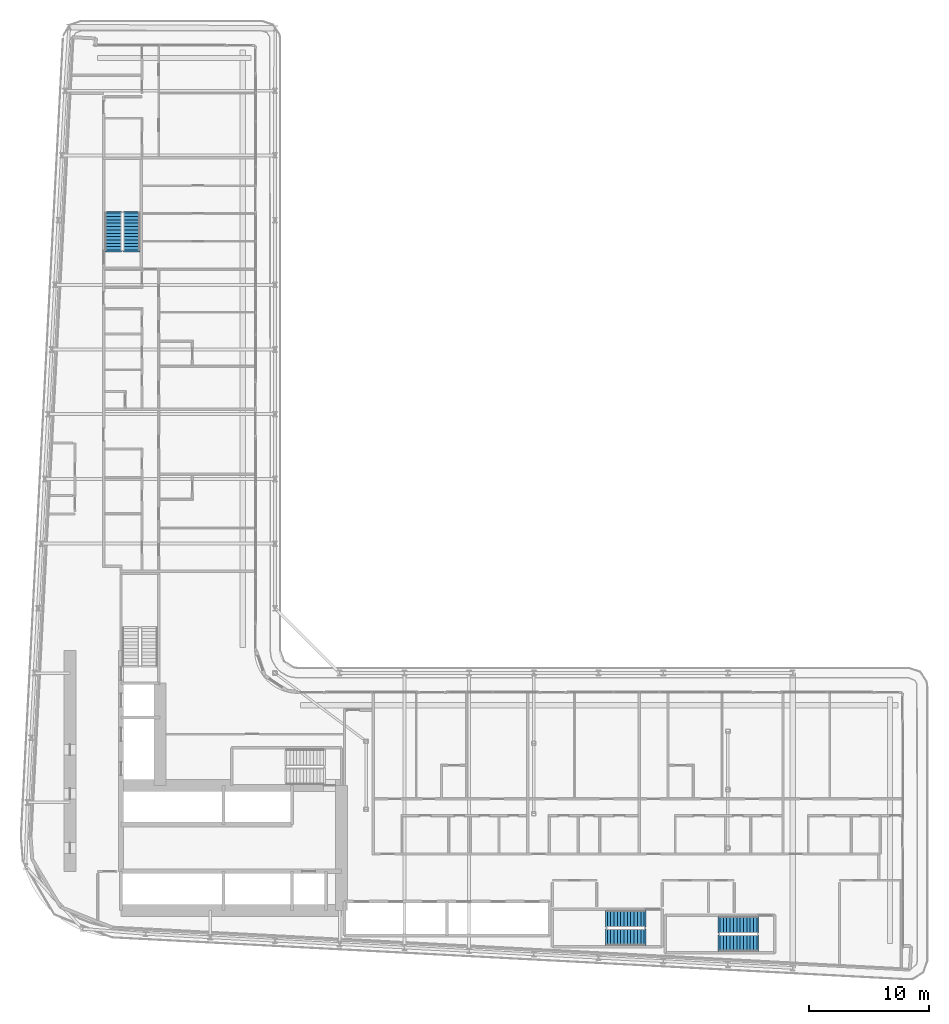
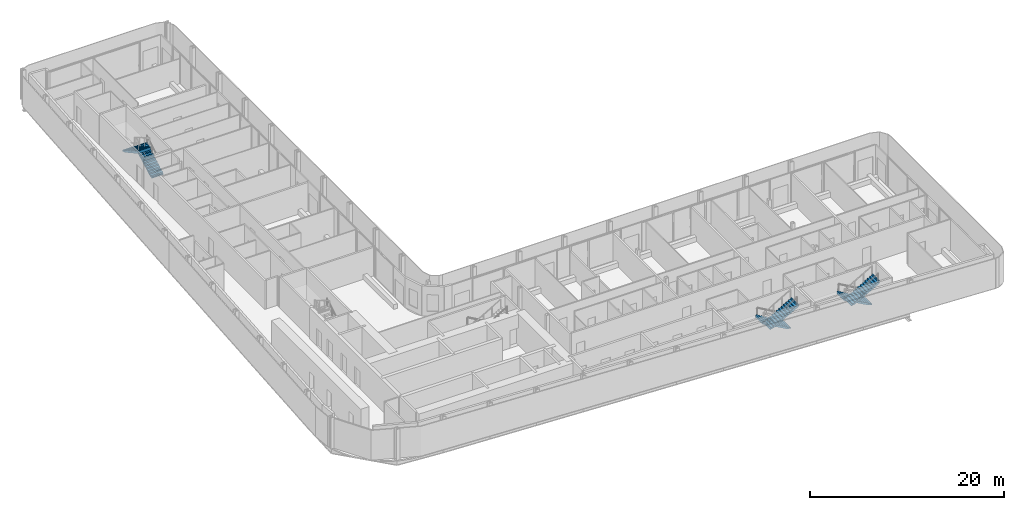
# One storey, part 20 of 27: 6 stair flights, 3 elements without a shape of their own.
"""IFC4 building model written with IfcOpenShell, lengths in metres."""

from ifc_helpers import new_model, si_unit, direction, frame, origin, place, context, subcontext, project, spatial, polyline, outline, extrude, material, layer, layer_set, type_object, element, aggregate, save


model = new_model("IFC4")

# Units and contexts
model_context = context("Model", 3, precision=1e-05, world=origin(), true_north=direction((0.0, 1.0)))
body_context = subcontext(model_context, "Body", "Model", "MODEL_VIEW")
ifc_project = project(units=[si_unit("LENGTHUNIT", "METRE"), si_unit("AREAUNIT", "SQUARE_METRE"), si_unit("VOLUMEUNIT", "CUBIC_METRE"), si_unit("PLANEANGLEUNIT", "RADIAN"), si_unit("MASSUNIT", "GRAM", prefix="KILO")], contexts=[model_context])

# Site, building, storey
site_placement = place(None, origin())
site = spatial("IfcSite", under=ifc_project, at=site_placement, CompositionType="ELEMENT")
building_placement = place(site_placement, origin())
building = spatial("IfcBuilding", under=site, at=building_placement, Name="Kheshtan School and Residences Tower", CompositionType="ELEMENT")
storey_placement = place(building_placement, frame((0.0, 0.0, 57.800048828125)))
storey = spatial("IfcBuildingStorey", under=building, at=storey_placement, Name="L13", CompositionType="ELEMENT", Elevation=57.800048828125)

# Stair, stair flights
ifc_material = material(Name="Concrete C40/50", Category="concrete")
stair_type = type_object("IfcStairType", Name="Exit stair, half-turn", PredefinedType="HALF_TURN_STAIR", material=ifc_material)
stair_1_placement = place(storey_placement, origin())
stair_1 = element("IfcStair", 1, at=stair_1_placement, inside=storey, type_object=stair_type, Name="L13 Protected Exit Stair ST3", PredefinedType="HALF_TURN_STAIR")
ifc_layer = layer(ifc_material, 0.14990234375)
ifc_layer_set = layer_set([ifc_layer], Name="Stair flight 1400 Concrete C40/50")
stair_flight_type = type_object("IfcStairFlightType", Name="Stair flight 1400 Concrete C40/50", PredefinedType="STRAIGHT", material=ifc_layer_set)
stair_flight_1_placement = place(storey_placement, frame((35.64990234375, 80.89990234375, 0.0), z_axis=(0.0, 0.0, 1.0), x_axis=(0.0, 1.0, 0.0)))
stair_flight_1 = element("IfcStairFlight", 2, at=stair_flight_1_placement, type_object=stair_flight_type, Name="ST3 flight 1", NumberOfRisers=12, NumberOfTreads=11, PredefinedType="STRAIGHT", RiserHeight=0.1625, TreadLength=0.28, context=body_context, shape_type="SweptSolid", body=[
    extrude(outline(polyline([(-0.14990234375, -0.10009765625), (-0.14990234375, 0.0), (0.0, 0.0), (0.0, 0.16259765625), (0.280029296875, 0.16259765625), (0.280029296875, 0.324951171875), (0.56005859375, 0.324951171875), (0.56005859375, 0.487548828125), (0.840087890625, 0.487548828125), (0.840087890625, 0.64990234375), (1.1201171875, 0.64990234375), (1.1201171875, 0.8125), (1.39990234375, 0.8125), (1.39990234375, 0.97509765625), (1.679931640625, 0.97509765625), (1.679931640625, 1.137451171875), (1.9599609375, 1.137451171875), (1.9599609375, 1.300048828125), (2.239990234375, 1.300048828125), (2.239990234375, 1.46240234375), (2.52001953125, 1.46240234375), (2.52001953125, 1.625), (2.800048828125, 1.625), (2.800048828125, 1.78759765625), (3.080078125, 1.78759765625), (3.080078125, 1.949951171875), (3.080078125, 1.969970703125), (3.22998046875, 1.969970703125), (3.22998046875, 1.6142578125), (0.298583984375, 0.0), (-0.14990234375, -0.10009765625)])), frame((0.0, 0.699951171875, 0.0), z_axis=(0.0, -1.0, 0.0), x_axis=(1.0, 0.0, 0.0)), (0.0, 0.0, 1.0), 1.39990234375),
])
stair_flight_2_placement = place(storey_placement, frame((34.10009765625, 83.97998046875, 1.949951171875), z_axis=(0.0, 0.0, 1.0), x_axis=(0.0, -1.0, 0.0)))
stair_flight_2 = element("IfcStairFlight", 3, at=stair_flight_2_placement, type_object=stair_flight_type, Name="ST3 flight 2", NumberOfRisers=12, NumberOfTreads=11, PredefinedType="STRAIGHT", RiserHeight=0.1625, TreadLength=0.28, context=body_context, shape_type="SweptSolid", body=[
    extrude(outline(polyline([(-0.14990234375, -0.10009765625), (-0.14990234375, 0.0), (0.0, 0.0), (0.0, 0.16259765625), (0.280029296875, 0.16259765625), (0.280029296875, 0.324951171875), (0.56005859375, 0.324951171875), (0.56005859375, 0.487548828125), (0.840087890625, 0.487548828125), (0.840087890625, 0.64990234375), (1.1201171875, 0.64990234375), (1.1201171875, 0.8125), (1.39990234375, 0.8125), (1.39990234375, 0.97509765625), (1.679931640625, 0.97509765625), (1.679931640625, 1.137451171875), (1.9599609375, 1.137451171875), (1.9599609375, 1.300048828125), (2.239990234375, 1.300048828125), (2.239990234375, 1.46240234375), (2.52001953125, 1.46240234375), (2.52001953125, 1.625), (2.800048828125, 1.625), (2.800048828125, 1.78759765625), (3.080078125, 1.78759765625), (3.080078125, 1.949951171875), (3.080078125, 1.969970703125), (3.22998046875, 1.969970703125), (3.22998046875, 1.6142578125), (0.298583984375, 0.0), (-0.14990234375, -0.10009765625)])), frame((0.0, 0.699951171875, 0.0), z_axis=(0.0, -1.0, 0.0), x_axis=(1.0, 0.0, 0.0)), (0.0, 0.0, 1.0), 1.39990234375),
])
aggregate(stair_1, [stair_flight_1, stair_flight_2])

stair_2_placement = place(storey_placement, origin())
stair_2 = element("IfcStair", 4, at=stair_2_placement, inside=storey, type_object=stair_type, Name="L13 Protected Exit Stair ST4", PredefinedType="HALF_TURN_STAIR")
stair_flight_3_placement = place(storey_placement, frame((87.820068359375, 24.60009765625, 0.0), z_axis=(0.0, 0.0, 1.0), x_axis=(-1.0, 0.0, 0.0)))
stair_flight_3 = element("IfcStairFlight", 5, at=stair_flight_3_placement, type_object=stair_flight_type, Name="ST4 flight 1", NumberOfRisers=12, NumberOfTreads=11, PredefinedType="STRAIGHT", RiserHeight=0.1625, TreadLength=0.28, context=body_context, shape_type="SweptSolid", body=[
    extrude(outline(polyline([(-0.14990234375, -0.10009765625), (-0.14990234375, 0.0), (0.0, 0.0), (0.0, 0.16259765625), (0.280029296875, 0.16259765625), (0.280029296875, 0.324951171875), (0.56005859375, 0.324951171875), (0.56005859375, 0.487548828125), (0.840087890625, 0.487548828125), (0.840087890625, 0.64990234375), (1.1201171875, 0.64990234375), (1.1201171875, 0.8125), (1.39990234375, 0.8125), (1.39990234375, 0.97509765625), (1.679931640625, 0.97509765625), (1.679931640625, 1.137451171875), (1.9599609375, 1.137451171875), (1.9599609375, 1.300048828125), (2.239990234375, 1.300048828125), (2.239990234375, 1.46240234375), (2.52001953125, 1.46240234375), (2.52001953125, 1.625), (2.800048828125, 1.625), (2.800048828125, 1.78759765625), (3.080078125, 1.78759765625), (3.080078125, 1.949951171875), (3.080078125, 1.969970703125), (3.22998046875, 1.969970703125), (3.22998046875, 1.6142578125), (0.298583984375, 0.0), (-0.14990234375, -0.10009765625)])), frame((0.0, 0.699951171875, 0.0), z_axis=(0.0, -1.0, 0.0), x_axis=(1.0, 0.0, 0.0)), (0.0, 0.0, 1.0), 1.39990234375),
])
stair_flight_4_placement = place(storey_placement, frame((84.739990234375, 23.050048828125, 1.949951171875), z_axis=(0.0, 0.0, 1.0), x_axis=(1.0, 0.0, 0.0)))
stair_flight_4 = element("IfcStairFlight", 6, at=stair_flight_4_placement, type_object=stair_flight_type, Name="ST4 flight 2", NumberOfRisers=12, NumberOfTreads=11, PredefinedType="STRAIGHT", RiserHeight=0.1625, TreadLength=0.28, context=body_context, shape_type="SweptSolid", body=[
    extrude(outline(polyline([(-0.14990234375, -0.10009765625), (-0.14990234375, 0.0), (0.0, 0.0), (0.0, 0.16259765625), (0.280029296875, 0.16259765625), (0.280029296875, 0.324951171875), (0.56005859375, 0.324951171875), (0.56005859375, 0.487548828125), (0.840087890625, 0.487548828125), (0.840087890625, 0.64990234375), (1.1201171875, 0.64990234375), (1.1201171875, 0.8125), (1.39990234375, 0.8125), (1.39990234375, 0.97509765625), (1.679931640625, 0.97509765625), (1.679931640625, 1.137451171875), (1.9599609375, 1.137451171875), (1.9599609375, 1.300048828125), (2.239990234375, 1.300048828125), (2.239990234375, 1.46240234375), (2.52001953125, 1.46240234375), (2.52001953125, 1.625), (2.800048828125, 1.625), (2.800048828125, 1.78759765625), (3.080078125, 1.78759765625), (3.080078125, 1.949951171875), (3.080078125, 1.969970703125), (3.22998046875, 1.969970703125), (3.22998046875, 1.6142578125), (0.298583984375, 0.0), (-0.14990234375, -0.10009765625)])), frame((0.0, 0.699951171875, 0.0), z_axis=(0.0, -1.0, 0.0), x_axis=(1.0, 0.0, 0.0)), (0.0, 0.0, 1.0), 1.39990234375),
])
aggregate(stair_2, [stair_flight_3, stair_flight_4])

stair_3_placement = place(storey_placement, origin())
stair_3 = element("IfcStair", 7, at=stair_3_placement, inside=storey, type_object=stair_type, Name="L13 Protected Exit Stair ST5", PredefinedType="HALF_TURN_STAIR")
stair_flight_5_placement = place(storey_placement, frame((78.409912109375, 25.10009765625, 0.0), z_axis=(0.0, 0.0, 1.0), x_axis=(-1.0, 0.0, 0.0)))
stair_flight_5 = element("IfcStairFlight", 8, at=stair_flight_5_placement, type_object=stair_flight_type, Name="ST5 flight 1", NumberOfRisers=12, NumberOfTreads=11, PredefinedType="STRAIGHT", RiserHeight=0.1625, TreadLength=0.28, context=body_context, shape_type="SweptSolid", body=[
    extrude(outline(polyline([(-0.14990234375, -0.10009765625), (-0.14990234375, 0.0), (0.0, 0.0), (0.0, 0.16259765625), (0.280029296875, 0.16259765625), (0.280029296875, 0.324951171875), (0.56005859375, 0.324951171875), (0.56005859375, 0.487548828125), (0.840087890625, 0.487548828125), (0.840087890625, 0.64990234375), (1.1201171875, 0.64990234375), (1.1201171875, 0.8125), (1.39990234375, 0.8125), (1.39990234375, 0.97509765625), (1.679931640625, 0.97509765625), (1.679931640625, 1.137451171875), (1.9599609375, 1.137451171875), (1.9599609375, 1.300048828125), (2.239990234375, 1.300048828125), (2.239990234375, 1.46240234375), (2.52001953125, 1.46240234375), (2.52001953125, 1.625), (2.800048828125, 1.625), (2.800048828125, 1.78759765625), (3.080078125, 1.78759765625), (3.080078125, 1.949951171875), (3.080078125, 1.969970703125), (3.22998046875, 1.969970703125), (3.22998046875, 1.6142578125), (0.298583984375, 0.0), (-0.14990234375, -0.10009765625)])), frame((0.0, 0.699951171875, 0.0), z_axis=(0.0, -1.0, 0.0), x_axis=(1.0, 0.0, 0.0)), (0.0, 0.0, 1.0), 1.39990234375),
])
stair_flight_6_placement = place(storey_placement, frame((75.330078125, 23.550048828125, 1.949951171875), z_axis=(0.0, 0.0, 1.0), x_axis=(1.0, 0.0, 0.0)))
stair_flight_6 = element("IfcStairFlight", 9, at=stair_flight_6_placement, type_object=stair_flight_type, Name="ST5 flight 2", NumberOfRisers=12, NumberOfTreads=11, PredefinedType="STRAIGHT", RiserHeight=0.1625, TreadLength=0.28, context=body_context, shape_type="SweptSolid", body=[
    extrude(outline(polyline([(-0.14990234375, -0.10009765625), (-0.14990234375, 0.0), (0.0, 0.0), (0.0, 0.16259765625), (0.280029296875, 0.16259765625), (0.280029296875, 0.324951171875), (0.56005859375, 0.324951171875), (0.56005859375, 0.487548828125), (0.840087890625, 0.487548828125), (0.840087890625, 0.64990234375), (1.1201171875, 0.64990234375), (1.1201171875, 0.8125), (1.39990234375, 0.8125), (1.39990234375, 0.97509765625), (1.679931640625, 0.97509765625), (1.679931640625, 1.137451171875), (1.9599609375, 1.137451171875), (1.9599609375, 1.300048828125), (2.239990234375, 1.300048828125), (2.239990234375, 1.46240234375), (2.52001953125, 1.46240234375), (2.52001953125, 1.625), (2.800048828125, 1.625), (2.800048828125, 1.78759765625), (3.080078125, 1.78759765625), (3.080078125, 1.949951171875), (3.080078125, 1.969970703125), (3.22998046875, 1.969970703125), (3.22998046875, 1.6142578125), (0.298583984375, 0.0), (-0.14990234375, -0.10009765625)])), frame((0.0, 0.699951171875, 0.0), z_axis=(0.0, -1.0, 0.0), x_axis=(1.0, 0.0, 0.0)), (0.0, 0.0, 1.0), 1.39990234375),
])
aggregate(stair_3, [stair_flight_5, stair_flight_6])

save(model, "model.ifc")
